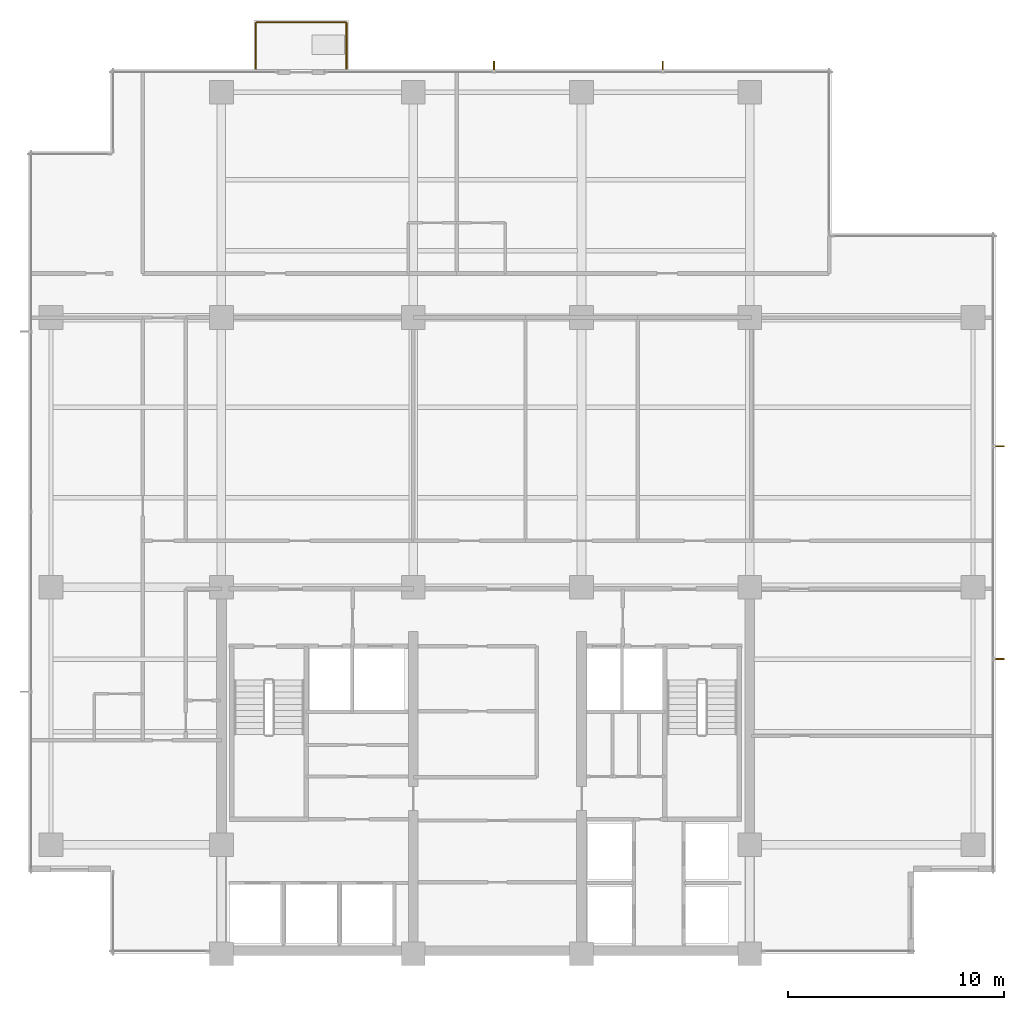
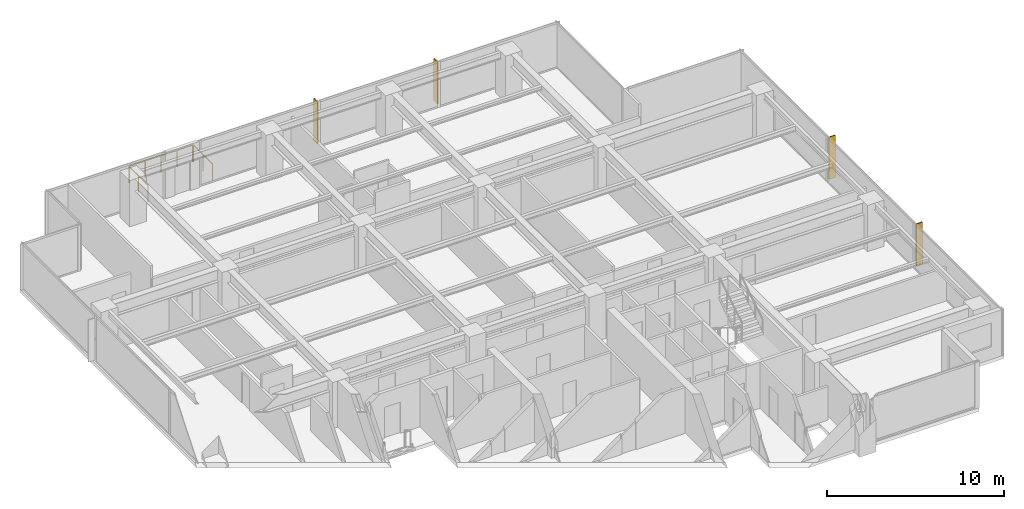
# One storey, part 14 of 14: 4 shading devices, 3 railings.
"""IFC4 building model written with IfcOpenShell, lengths in metres."""

from ifc_helpers import new_model, si_unit, direction, frame, origin, origin_2d, place, context, subcontext, project, spatial, polyline, circle, outline, extrude, material, layer, layer_set, type_object, element, save


model = new_model("IFC4")

# Units and contexts
model_context = context("Model", 3, precision=1e-05, world=origin(), true_north=direction((0.0, 1.0)))
body_context = subcontext(model_context, "Body", "Model", "MODEL_VIEW")
ifc_project = project(units=[si_unit("LENGTHUNIT", "METRE"), si_unit("AREAUNIT", "SQUARE_METRE"), si_unit("VOLUMEUNIT", "CUBIC_METRE"), si_unit("PLANEANGLEUNIT", "RADIAN"), si_unit("MASSUNIT", "GRAM", prefix="KILO")], contexts=[model_context])

# Site, building, storey
site_placement = place(None, origin())
site = spatial("IfcSite", under=ifc_project, at=site_placement, CompositionType="ELEMENT")
building_placement = place(site_placement, origin())
building = spatial("IfcBuilding", under=site, at=building_placement, Name="Qalmaran Belvedere Hotel", CompositionType="ELEMENT")
storey_placement = place(building_placement, frame((0.0, 0.0, 180.60009765625)))
storey = spatial("IfcBuildingStorey", under=building, at=storey_placement, Name="L46", CompositionType="ELEMENT", Elevation=180.60009765625)

# Shading devices
ifc_material = material(Name="Anodised Bronze Aluminium", Category="aluminium")
ifc_layer = layer(ifc_material, 0.06494140625, Name="Anodised Bronze Aluminium")
ifc_layer_set = layer_set([ifc_layer], Name="Anodised Bronze Aluminium")
shading_device_type = type_object("IfcShadingDeviceType", Name="FIN-BRNZ-420", PredefinedType="USERDEFINED", material=ifc_layer_set)
shading_device_1_placement = place(storey_placement, frame((0.0, 0.0, 0.159912109375)))
element("IfcShadingDevice", 1, at=shading_device_1_placement, inside=storey, type_object=shading_device_type, Name="L46 Bronze Fin 1", ObjectType="FIN", PredefinedType="USERDEFINED", context=body_context, shape_type="SweptSolid", body=[
    extrude(outline(polyline([(56.169921875, 17.13427734375), (56.590087890625, 17.13427734375), (56.590087890625, 17.19921875), (56.169921875, 17.19921875), (56.169921875, 17.13427734375)])), origin(), (0.0, 0.0, 1.0), 2.89990234375),
])
shading_device_2_placement = place(storey_placement, frame((0.0, 0.0, 0.159912109375)))
element("IfcShadingDevice", 2, at=shading_device_2_placement, inside=storey, type_object=shading_device_type, Name="L46 Bronze Fin 2", ObjectType="FIN", PredefinedType="USERDEFINED", context=body_context, shape_type="SweptSolid", body=[
    extrude(outline(polyline([(56.169921875, 27.000732421875), (56.590087890625, 27.000732421875), (56.590087890625, 27.06591796875), (56.169921875, 27.06591796875), (56.169921875, 27.000732421875)])), origin(), (0.0, 0.0, 1.0), 2.89990234375),
])
shading_device_3_placement = place(storey_placement, frame((0.0, 0.0, 0.159912109375)))
element("IfcShadingDevice", 3, at=shading_device_3_placement, inside=storey, type_object=shading_device_type, Name="L46 Bronze Fin 1", ObjectType="FIN", PredefinedType="USERDEFINED", context=body_context, shape_type="SweptSolid", body=[
    extrude(outline(polyline([(40.79931640625, 44.469970703125), (40.79931640625, 44.889892578125), (40.734130859375, 44.889892578125), (40.734130859375, 44.469970703125), (40.79931640625, 44.469970703125)])), origin(), (0.0, 0.0, 1.0), 2.89990234375),
])
shading_device_4_placement = place(storey_placement, frame((0.0, 0.0, 0.159912109375)))
element("IfcShadingDevice", 4, at=shading_device_4_placement, inside=storey, type_object=shading_device_type, Name="L46 Bronze Fin 2", ObjectType="FIN", PredefinedType="USERDEFINED", context=body_context, shape_type="SweptSolid", body=[
    extrude(outline(polyline([(32.9658203125, 44.469970703125), (32.9658203125, 44.889892578125), (32.90087890625, 44.889892578125), (32.90087890625, 44.469970703125), (32.9658203125, 44.469970703125)])), origin(), (0.0, 0.0, 1.0), 2.89990234375),
])

# Railings
railing_type = type_object("IfcRailingType", Name="GRD-BAL-1150", PredefinedType="BALUSTRADE", material=ifc_material)
railing_1_placement = place(storey_placement, frame((21.89990234375, 44.534912109375, 0.0)))
element("IfcRailing", 5, at=railing_1_placement, inside=storey, type_object=railing_type, Name="L46 Guardrail BAL-L46-N-1", PredefinedType="BALUSTRADE", context=body_context, shape_type="SweptSolid", body=[
    extrude(circle(Radius=0.02392578125, at=origin_2d()), frame((0.0, 0.0, 1.1259765625), z_axis=(0.0, 1.0, 0.0), x_axis=(-1.0, 0.0, 0.0)), (0.0, 0.0, 1.0), 2.130126953125),
    extrude(circle(Radius=0.02099609375, at=origin_2d()), origin(), (0.0, 0.0, 1.0), 1.101806640625),
    extrude(circle(Radius=0.02099609375, at=origin_2d()), frame((0.0, 1.06494140625, 0.0)), (0.0, 0.0, 1.0), 1.101806640625),
    extrude(circle(Radius=0.02099609375, at=origin_2d()), frame((0.0, 2.130126953125, 0.0)), (0.0, 0.0, 1.0), 1.101806640625),
])
railing_2_placement = place(storey_placement, frame((21.93505859375, 46.699951171875, 0.0)))
element("IfcRailing", 6, at=railing_2_placement, inside=storey, type_object=railing_type, Name="L46 Guardrail BAL-L46-N-2", PredefinedType="BALUSTRADE", context=body_context, shape_type="SweptSolid", body=[
    extrude(circle(Radius=0.02392578125, at=origin_2d()), frame((0.0, 0.0, 1.1259765625), z_axis=(1.0, 0.0, 0.0), x_axis=(0.0, 1.0, 0.0)), (0.0, 0.0, 1.0), 4.1298828125),
    extrude(circle(Radius=0.02099609375, at=origin_2d()), origin(), (0.0, 0.0, 1.0), 1.101806640625),
    extrude(circle(Radius=0.02099609375, at=origin_2d()), frame((1.032470703125, 0.0, 0.0)), (0.0, 0.0, 1.0), 1.101806640625),
    extrude(circle(Radius=0.02099609375, at=origin_2d()), frame((2.06494140625, 0.0, 0.0)), (0.0, 0.0, 1.0), 1.101806640625),
    extrude(circle(Radius=0.02099609375, at=origin_2d()), frame((3.097412109375, 0.0, 0.0)), (0.0, 0.0, 1.0), 1.101806640625),
    extrude(circle(Radius=0.02099609375, at=origin_2d()), frame((4.1298828125, 0.0, 0.0)), (0.0, 0.0, 1.0), 1.101806640625),
])
railing_3_placement = place(storey_placement, frame((26.10009765625, 46.6650390625, 0.0)))
element("IfcRailing", 7, at=railing_3_placement, inside=storey, type_object=railing_type, Name="L46 Guardrail BAL-L46-N-3", PredefinedType="BALUSTRADE", context=body_context, shape_type="SweptSolid", body=[
    extrude(circle(Radius=0.02392578125, at=origin_2d()), frame((0.0, 0.0, 1.1259765625), z_axis=(0.0, -1.0, 0.0), x_axis=(1.0, 0.0, 0.0)), (0.0, 0.0, 1.0), 2.130126953125),
    extrude(circle(Radius=0.02099609375, at=origin_2d()), origin(), (0.0, 0.0, 1.0), 1.101806640625),
    extrude(circle(Radius=0.02099609375, at=origin_2d()), frame((0.0, -1.06494140625, 0.0)), (0.0, 0.0, 1.0), 1.101806640625),
    extrude(circle(Radius=0.02099609375, at=origin_2d()), frame((0.0, -2.130126953125, 0.0)), (0.0, 0.0, 1.0), 1.101806640625),
])

save(model, "model.ifc")
